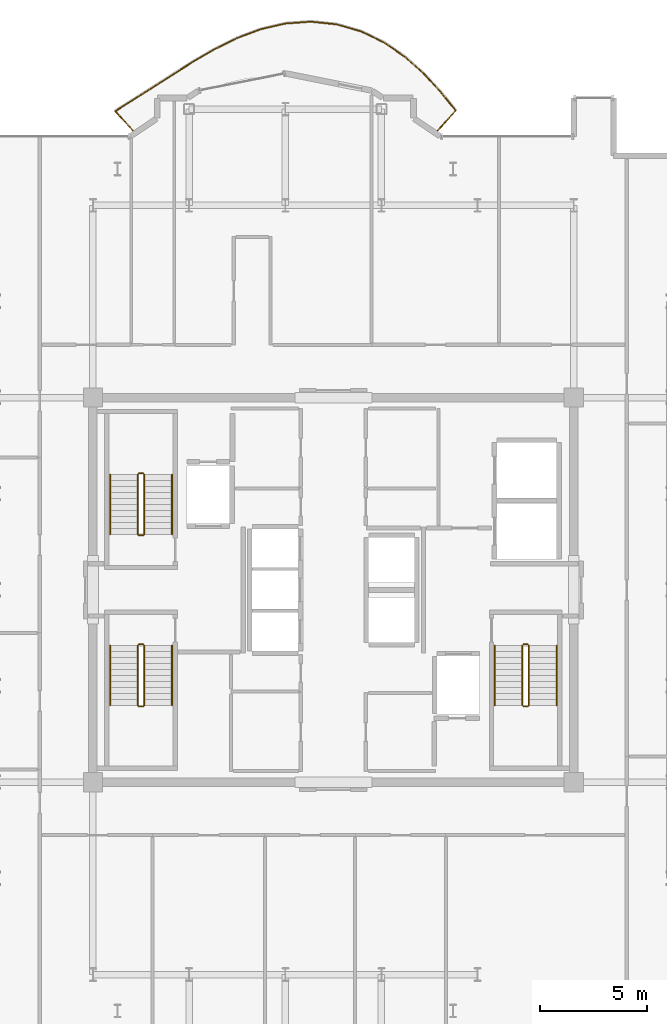
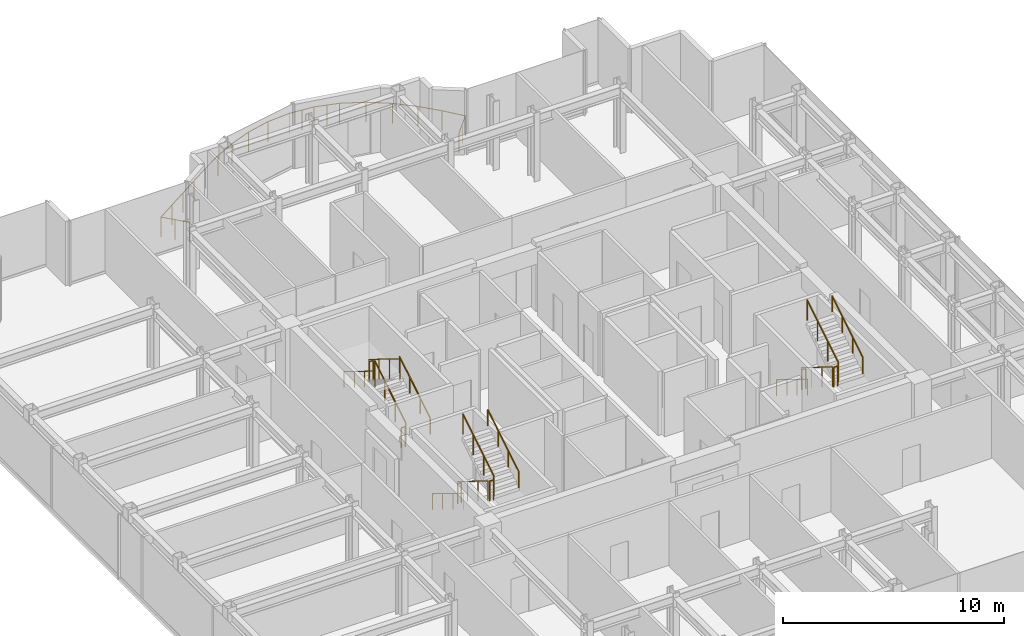
# One storey, part 18 of 18: 19 railings.
"""IFC4 building model written with IfcOpenShell, lengths in metres."""

from ifc_helpers import new_model, si_unit, direction, frame, origin, origin_2d, place, context, subcontext, project, spatial, circle, extrude, material, type_object, element, save


model = new_model("IFC4")

# Units and contexts
model_context = context("Model", 3, precision=1e-05, world=origin(), true_north=direction((0.0, 1.0)))
body_context = subcontext(model_context, "Body", "Model", "MODEL_VIEW")
ifc_project = project(units=[si_unit("LENGTHUNIT", "METRE"), si_unit("AREAUNIT", "SQUARE_METRE"), si_unit("VOLUMEUNIT", "CUBIC_METRE"), si_unit("PLANEANGLEUNIT", "RADIAN"), si_unit("MASSUNIT", "GRAM", prefix="KILO")], contexts=[model_context])

# Site, building, storey
site_placement = place(None, origin())
site = spatial("IfcSite", under=ifc_project, at=site_placement, CompositionType="ELEMENT")
building_placement = place(site_placement, origin())
building = spatial("IfcBuilding", under=site, at=building_placement, Name="Nefas-Gora Pilgrimage Tower", CompositionType="ELEMENT")
storey_placement = place(building_placement, frame((0.0, 0.0, 330.0)))
storey = spatial("IfcBuildingStorey", under=building, at=storey_placement, Name="L83", CompositionType="ELEMENT", Elevation=330.0)

# Railings
ifc_material_1 = material(Name="Laminated safety glass and stainless steel", Category="steel")
railing_type_1 = type_object("IfcRailingType", Name="RLG-BAL-1100", PredefinedType="BALUSTRADE", material=ifc_material_1)
railing_1_placement = place(storey_placement, frame((4.802490234375, 21.402587890625, 0.0)))
element("IfcRailing", 1, at=railing_1_placement, inside=storey, type_object=railing_type_1, Name="L83 Wave Balcony Balustrade N1", PredefinedType="BALUSTRADE", context=body_context, shape_type="SweptSolid", body=[
    extrude(circle(Radius=0.02392578125, at=origin_2d()), frame((0.0, 0.0, 1.09619140625), z_axis=(0.669217868333, 0.743066245165, 0.0), x_axis=(-0.743066245165, 0.669217868333, 0.0)), (0.0, 0.0, 1.0), 1.38525390625),
    extrude(circle(Radius=0.02392578125, at=origin_2d()), frame((0.927001953125, 1.029296875, 1.09619140625), z_axis=(-0.631629482569, 0.775270402343, 0.0), x_axis=(-0.775270402343, -0.631629482569, 0.0)), (0.0, 0.0, 1.0), 1.125244140625),
    extrude(circle(Radius=0.02392578125, at=origin_2d()), frame((0.21630859375, 1.901611328125, 1.09619140625), z_axis=(-0.677893838632, 0.735159808167, 0.0), x_axis=(-0.735159808167, -0.677893838632, 0.0)), (0.0, 0.0, 1.0), 1.1552734375),
    extrude(circle(Radius=0.02392578125, at=origin_2d()), frame((-0.56689453125, 2.7509765625, 1.09619140625), z_axis=(-0.744856770075, 0.667224394094, 0.0), x_axis=(-0.667224394094, -0.744856770075, 0.0)), (0.0, 0.0, 1.0), 1.17919921875),
    extrude(circle(Radius=0.02392578125, at=origin_2d()), frame((-1.4453125, 3.537841796875, 1.09619140625), z_axis=(-0.823486360046, 0.567336068673, 0.0), x_axis=(-0.567336068673, -0.823486360046, 0.0)), (0.0, 0.0, 1.0), 1.193359375),
    extrude(circle(Radius=0.02392578125, at=origin_2d()), frame((-2.427978515625, 4.21484375, 1.09619140625), z_axis=(-0.900372884274, 0.435119143757, 0.0), x_axis=(-0.435119143757, -0.900372884274, 0.0)), (0.0, 0.0, 1.0), 1.198974609375),
    extrude(circle(Radius=0.02392578125, at=origin_2d()), frame((-3.507568359375, 4.736572265625, 1.09619140625), z_axis=(-0.96128569357, 0.275553652377, 0.0), x_axis=(-0.275553652377, -0.96128569357, 0.0)), (0.0, 0.0, 1.0), 1.200439453125),
    extrude(circle(Radius=0.02392578125, at=origin_2d()), frame((-4.66162109375, 5.0673828125, 1.09619140625), z_axis=(-0.994878893823, 0.101074163988, 0.0), x_axis=(-0.101074163988, -0.994878893823, 0.0)), (0.0, 0.0, 1.0), 1.200439453125),
    extrude(circle(Radius=0.02392578125, at=origin_2d()), frame((-5.85595703125, 5.188720703125, 1.09619140625), z_axis=(-0.997416168119, -0.071840013741, 0.0), x_axis=(0.071840013741, -0.997416168119, 0.0)), (0.0, 0.0, 1.0), 1.19970703125),
    extrude(circle(Radius=0.02392578125, at=origin_2d()), frame((-7.052490234375, 5.1025390625, 1.09619140625), z_axis=(-0.973990202432, -0.226590126809, 0.0), x_axis=(0.226590126809, -0.973990202432, 0.0)), (0.0, 0.0, 1.0), 1.19482421875),
    extrude(circle(Radius=0.02392578125, at=origin_2d()), frame((-8.21630859375, 4.831787109375, 1.09619140625), z_axis=(-0.935793373768, -0.352548949243, 0.0), x_axis=(0.352548949243, -0.935793373768, 0.0)), (0.0, 0.0, 1.0), 1.18212890625),
    extrude(circle(Radius=0.02392578125, at=origin_2d()), frame((-9.322509765625, 4.4150390625, 1.09619140625), z_axis=(-0.895603061992, -0.444854083213, 0.0), x_axis=(0.444854083213, -0.895603061992, 0.0)), (0.0, 0.0, 1.0), 1.15966796875),
    extrude(circle(Radius=0.02392578125, at=origin_2d()), frame((-10.361083984375, 3.899169921875, 1.09619140625), z_axis=(-0.863943403334, -0.503588915522, 0.0), x_axis=(0.503588915522, -0.863943403334, 0.0)), (0.0, 0.0, 1.0), 1.130126953125),
    extrude(circle(Radius=0.02392578125, at=origin_2d()), frame((-11.33740234375, 3.330078125, 1.09619140625), z_axis=(-0.846310667587, -0.532689641282, 0.0), x_axis=(0.532689641282, -0.846310667587, 0.0)), (0.0, 0.0, 1.0), 1.099853515625),
    extrude(circle(Radius=0.02392578125, at=origin_2d()), frame((-12.268310546875, 2.744140625, 1.09619140625), z_axis=(-0.841971362418, -0.539522219067, 0.0), x_axis=(0.539522219067, -0.841971362418, 0.0)), (0.0, 0.0, 1.0), 1.079345703125),
    extrude(circle(Radius=0.02392578125, at=origin_2d()), frame((-13.177001953125, 2.161865234375, 1.09619140625), z_axis=(-0.844473528243, -0.535597292839, 0.0), x_axis=(0.535597292839, -0.844473528243, 0.0)), (0.0, 0.0, 1.0), 1.07568359375),
    extrude(circle(Radius=0.02392578125, at=origin_2d()), frame((-14.08544921875, 1.585693359375, 1.09619140625), z_axis=(-0.843707572313, -0.536803066704, 0.0), x_axis=(0.536803066704, -0.843707572313, 0.0)), (0.0, 0.0, 1.0), 1.090576171875),
    extrude(circle(Radius=0.02392578125, at=origin_2d()), frame((-15.005615234375, 1.000244140625, 1.09619140625), z_axis=(0.669135077133, -0.74314079995, 0.0), x_axis=(0.74314079995, 0.669135077133, 0.0)), (0.0, 0.0, 1.0), 1.345947265625),
    extrude(circle(Radius=0.02099609375, at=origin_2d()), origin(), (0.0, 0.0, 1.0), 1.072021484375),
    extrude(circle(Radius=0.02099609375, at=origin_2d()), frame((0.46337890625, 0.5146484375, 0.0)), (0.0, 0.0, 1.0), 1.072021484375),
    extrude(circle(Radius=0.02099609375, at=origin_2d()), frame((0.927001953125, 1.029296875, 0.0)), (0.0, 0.0, 1.0), 1.072021484375),
    extrude(circle(Radius=0.02099609375, at=origin_2d()), frame((0.21630859375, 1.901611328125, 0.0)), (0.0, 0.0, 1.0), 1.072021484375),
    extrude(circle(Radius=0.02099609375, at=origin_2d()), frame((-0.56689453125, 2.7509765625, 0.0)), (0.0, 0.0, 1.0), 1.072021484375),
    extrude(circle(Radius=0.02099609375, at=origin_2d()), frame((-1.4453125, 3.537841796875, 0.0)), (0.0, 0.0, 1.0), 1.072021484375),
    extrude(circle(Radius=0.02099609375, at=origin_2d()), frame((-2.427978515625, 4.21484375, 0.0)), (0.0, 0.0, 1.0), 1.072021484375),
    extrude(circle(Radius=0.02099609375, at=origin_2d()), frame((-3.507568359375, 4.736572265625, 0.0)), (0.0, 0.0, 1.0), 1.072021484375),
    extrude(circle(Radius=0.02099609375, at=origin_2d()), frame((-4.08447265625, 4.90185546875, 0.0)), (0.0, 0.0, 1.0), 1.072021484375),
    extrude(circle(Radius=0.02099609375, at=origin_2d()), frame((-4.66162109375, 5.0673828125, 0.0)), (0.0, 0.0, 1.0), 1.072021484375),
    extrude(circle(Radius=0.02099609375, at=origin_2d()), frame((-5.2587890625, 5.1279296875, 0.0)), (0.0, 0.0, 1.0), 1.072021484375),
    extrude(circle(Radius=0.02099609375, at=origin_2d()), frame((-5.85595703125, 5.188720703125, 0.0)), (0.0, 0.0, 1.0), 1.072021484375),
    extrude(circle(Radius=0.02099609375, at=origin_2d()), frame((-7.052490234375, 5.1025390625, 0.0)), (0.0, 0.0, 1.0), 1.072021484375),
    extrude(circle(Radius=0.02099609375, at=origin_2d()), frame((-8.21630859375, 4.831787109375, 0.0)), (0.0, 0.0, 1.0), 1.072021484375),
    extrude(circle(Radius=0.02099609375, at=origin_2d()), frame((-9.322509765625, 4.4150390625, 0.0)), (0.0, 0.0, 1.0), 1.072021484375),
    extrude(circle(Radius=0.02099609375, at=origin_2d()), frame((-10.361083984375, 3.899169921875, 0.0)), (0.0, 0.0, 1.0), 1.072021484375),
    extrude(circle(Radius=0.02099609375, at=origin_2d()), frame((-11.33740234375, 3.330078125, 0.0)), (0.0, 0.0, 1.0), 1.072021484375),
    extrude(circle(Radius=0.02099609375, at=origin_2d()), frame((-12.268310546875, 2.744140625, 0.0)), (0.0, 0.0, 1.0), 1.072021484375),
    extrude(circle(Radius=0.02099609375, at=origin_2d()), frame((-13.177001953125, 2.161865234375, 0.0)), (0.0, 0.0, 1.0), 1.072021484375),
    extrude(circle(Radius=0.02099609375, at=origin_2d()), frame((-14.08544921875, 1.585693359375, 0.0)), (0.0, 0.0, 1.0), 1.072021484375),
    extrude(circle(Radius=0.02099609375, at=origin_2d()), frame((-15.005615234375, 1.000244140625, 0.0)), (0.0, 0.0, 1.0), 1.072021484375),
    extrude(circle(Radius=0.02099609375, at=origin_2d()), frame((-14.55517578125, 0.5, 0.0)), (0.0, 0.0, 1.0), 1.072021484375),
    extrude(circle(Radius=0.02099609375, at=origin_2d()), frame((-14.10498046875, 0.0, 0.0)), (0.0, 0.0, 1.0), 1.072021484375),
])
ifc_material_2 = material(Name="Painted galvanised steel", Category="steel")
railing_type_2 = type_object("IfcRailingType", Name="RLG-STR-GUARD-1100", PredefinedType="GUARDRAIL", material=ifc_material_2)
railing_2_placement = place(storey_placement, frame((-8.85009765625, 2.60009765625, 0.172607421875)))
element("IfcRailing", 2, at=railing_2_placement, inside=storey, type_object=railing_type_2, Name="L83 ST-01 stair guard 1", PredefinedType="GUARDRAIL", context=body_context, shape_type="SweptSolid", body=[
    extrude(circle(Radius=0.02392578125, at=origin_2d()), frame((0.0, 0.0, 1.09619140625), z_axis=(0.0, 0.851069175582, 0.525053576669), x_axis=(-1.0, 0.0, 0.0)), (0.0, 0.0, 1.0), 3.289794921875),
    extrude(circle(Radius=0.02099609375, at=origin_2d()), origin(), (0.0, 0.0, 1.0), 1.072021484375),
    extrude(circle(Radius=0.02099609375, at=origin_2d()), frame((0.0, 0.933349609375, 0.57568359375)), (0.0, 0.0, 1.0), 1.072021484375),
    extrude(circle(Radius=0.02099609375, at=origin_2d()), frame((0.0, 1.866455078125, 1.151611328125)), (0.0, 0.0, 1.0), 1.072021484375),
    extrude(circle(Radius=0.02099609375, at=origin_2d()), frame((0.0, 2.7998046875, 1.727294921875)), (0.0, 0.0, 1.0), 1.072021484375),
])
railing_3_placement = place(storey_placement, frame((-8.89990234375, 5.449951171875, 1.89990234375)))
element("IfcRailing", 3, at=railing_3_placement, inside=storey, type_object=railing_type_2, Name="L83 ST-01 stair guard 2", PredefinedType="GUARDRAIL", context=body_context, shape_type="SweptSolid", body=[
    extrude(circle(Radius=0.02392578125, at=origin_2d()), frame((0.0, 0.0, 1.09619140625), z_axis=(-1.0, 0.0, 0.0), x_axis=(0.0, -1.0, 0.0)), (0.0, 0.0, 1.0), 0.2001953125),
    extrude(circle(Radius=0.02099609375, at=origin_2d()), origin(), (0.0, 0.0, 1.0), 1.072021484375),
    extrude(circle(Radius=0.02099609375, at=origin_2d()), frame((-0.2001953125, 0.0, 0.0)), (0.0, 0.0, 1.0), 1.072021484375),
])
railing_4_placement = place(storey_placement, frame((-9.14990234375, 5.39990234375, 2.07275390625)))
element("IfcRailing", 4, at=railing_4_placement, inside=storey, type_object=railing_type_2, Name="L83 ST-01 stair guard 3", PredefinedType="GUARDRAIL", context=body_context, shape_type="SweptSolid", body=[
    extrude(circle(Radius=0.02392578125, at=origin_2d()), frame((0.0, 0.0, 1.09619140625), z_axis=(0.0, -0.851069175582, 0.525053576669), x_axis=(1.0, 0.0, 0.0)), (0.0, 0.0, 1.0), 3.289794921875),
    extrude(circle(Radius=0.02099609375, at=origin_2d()), origin(), (0.0, 0.0, 1.0), 1.072021484375),
    extrude(circle(Radius=0.02099609375, at=origin_2d()), frame((0.0, -0.933349609375, 0.57568359375)), (0.0, 0.0, 1.0), 1.072021484375),
    extrude(circle(Radius=0.02099609375, at=origin_2d()), frame((0.0, -1.866455078125, 1.151611328125)), (0.0, 0.0, 1.0), 1.072021484375),
    extrude(circle(Radius=0.02099609375, at=origin_2d()), frame((0.0, -2.7998046875, 1.727294921875)), (0.0, 0.0, 1.0), 1.072021484375),
])
railing_5_placement = place(storey_placement, frame((-8.89990234375, 2.550048828125, 0.0)))
element("IfcRailing", 5, at=railing_5_placement, inside=storey, type_object=railing_type_2, Name="L83 ST-01 stair guard 4", PredefinedType="GUARDRAIL", context=body_context, shape_type="SweptSolid", body=[
    extrude(circle(Radius=0.02392578125, at=origin_2d()), frame((0.0, 0.0, 1.09619140625), z_axis=(-1.0, 0.0, 0.0), x_axis=(0.0, -1.0, 0.0)), (0.0, 0.0, 1.0), 0.2001953125),
    extrude(circle(Radius=0.02099609375, at=origin_2d()), origin(), (0.0, 0.0, 1.0), 1.072021484375),
    extrude(circle(Radius=0.02099609375, at=origin_2d()), frame((-0.2001953125, 0.0, 0.0)), (0.0, 0.0, 1.0), 1.072021484375),
])
railing_6_placement = place(storey_placement, frame((8.85009765625, -2.60009765625, 0.172607421875)))
element("IfcRailing", 6, at=railing_6_placement, inside=storey, type_object=railing_type_2, Name="L83 ST-02 stair guard 1", PredefinedType="GUARDRAIL", context=body_context, shape_type="SweptSolid", body=[
    extrude(circle(Radius=0.02392578125, at=origin_2d()), frame((0.0, 0.0, 1.09619140625), z_axis=(0.0, -0.851069175582, 0.525053576669), x_axis=(1.0, 0.0, 0.0)), (0.0, 0.0, 1.0), 3.289794921875),
    extrude(circle(Radius=0.02099609375, at=origin_2d()), origin(), (0.0, 0.0, 1.0), 1.072021484375),
    extrude(circle(Radius=0.02099609375, at=origin_2d()), frame((0.0, -0.933349609375, 0.57568359375)), (0.0, 0.0, 1.0), 1.072021484375),
    extrude(circle(Radius=0.02099609375, at=origin_2d()), frame((0.0, -1.866455078125, 1.151611328125)), (0.0, 0.0, 1.0), 1.072021484375),
    extrude(circle(Radius=0.02099609375, at=origin_2d()), frame((0.0, -2.7998046875, 1.727294921875)), (0.0, 0.0, 1.0), 1.072021484375),
])
railing_7_placement = place(storey_placement, frame((8.89990234375, -5.449951171875, 1.89990234375)))
element("IfcRailing", 7, at=railing_7_placement, inside=storey, type_object=railing_type_2, Name="L83 ST-02 stair guard 2", PredefinedType="GUARDRAIL", context=body_context, shape_type="SweptSolid", body=[
    extrude(circle(Radius=0.02392578125, at=origin_2d()), frame((0.0, 0.0, 1.09619140625), z_axis=(1.0, 0.0, 0.0), x_axis=(0.0, 1.0, 0.0)), (0.0, 0.0, 1.0), 0.2001953125),
    extrude(circle(Radius=0.02099609375, at=origin_2d()), origin(), (0.0, 0.0, 1.0), 1.072021484375),
    extrude(circle(Radius=0.02099609375, at=origin_2d()), frame((0.2001953125, 0.0, 0.0)), (0.0, 0.0, 1.0), 1.072021484375),
])
railing_8_placement = place(storey_placement, frame((9.14990234375, -5.39990234375, 2.07275390625)))
element("IfcRailing", 8, at=railing_8_placement, inside=storey, type_object=railing_type_2, Name="L83 ST-02 stair guard 3", PredefinedType="GUARDRAIL", context=body_context, shape_type="SweptSolid", body=[
    extrude(circle(Radius=0.02392578125, at=origin_2d()), frame((0.0, 0.0, 1.09619140625), z_axis=(0.0, 0.851069175582, 0.525053576669), x_axis=(-1.0, 0.0, 0.0)), (0.0, 0.0, 1.0), 3.289794921875),
    extrude(circle(Radius=0.02099609375, at=origin_2d()), origin(), (0.0, 0.0, 1.0), 1.072021484375),
    extrude(circle(Radius=0.02099609375, at=origin_2d()), frame((0.0, 0.933349609375, 0.57568359375)), (0.0, 0.0, 1.0), 1.072021484375),
    extrude(circle(Radius=0.02099609375, at=origin_2d()), frame((0.0, 1.866455078125, 1.151611328125)), (0.0, 0.0, 1.0), 1.072021484375),
    extrude(circle(Radius=0.02099609375, at=origin_2d()), frame((0.0, 2.7998046875, 1.727294921875)), (0.0, 0.0, 1.0), 1.072021484375),
])
railing_9_placement = place(storey_placement, frame((8.89990234375, -2.550048828125, 0.0)))
element("IfcRailing", 9, at=railing_9_placement, inside=storey, type_object=railing_type_2, Name="L83 ST-02 stair guard 4", PredefinedType="GUARDRAIL", context=body_context, shape_type="SweptSolid", body=[
    extrude(circle(Radius=0.02392578125, at=origin_2d()), frame((0.0, 0.0, 1.09619140625), z_axis=(1.0, 0.0, 0.0), x_axis=(0.0, 1.0, 0.0)), (0.0, 0.0, 1.0), 0.2001953125),
    extrude(circle(Radius=0.02099609375, at=origin_2d()), origin(), (0.0, 0.0, 1.0), 1.072021484375),
    extrude(circle(Radius=0.02099609375, at=origin_2d()), frame((0.2001953125, 0.0, 0.0)), (0.0, 0.0, 1.0), 1.072021484375),
])
railing_10_placement = place(storey_placement, frame((-9.14990234375, -2.60009765625, 0.172607421875)))
element("IfcRailing", 10, at=railing_10_placement, inside=storey, type_object=railing_type_2, Name="L83 ST-03 stair guard 1", PredefinedType="GUARDRAIL", context=body_context, shape_type="SweptSolid", body=[
    extrude(circle(Radius=0.02392578125, at=origin_2d()), frame((0.0, 0.0, 1.09619140625), z_axis=(0.0, -0.851069175582, 0.525053576669), x_axis=(1.0, 0.0, 0.0)), (0.0, 0.0, 1.0), 3.289794921875),
    extrude(circle(Radius=0.02099609375, at=origin_2d()), origin(), (0.0, 0.0, 1.0), 1.072021484375),
    extrude(circle(Radius=0.02099609375, at=origin_2d()), frame((0.0, -0.933349609375, 0.57568359375)), (0.0, 0.0, 1.0), 1.072021484375),
    extrude(circle(Radius=0.02099609375, at=origin_2d()), frame((0.0, -1.866455078125, 1.151611328125)), (0.0, 0.0, 1.0), 1.072021484375),
    extrude(circle(Radius=0.02099609375, at=origin_2d()), frame((0.0, -2.7998046875, 1.727294921875)), (0.0, 0.0, 1.0), 1.072021484375),
])
railing_11_placement = place(storey_placement, frame((-9.10009765625, -5.449951171875, 1.89990234375)))
element("IfcRailing", 11, at=railing_11_placement, inside=storey, type_object=railing_type_2, Name="L83 ST-03 stair guard 2", PredefinedType="GUARDRAIL", context=body_context, shape_type="SweptSolid", body=[
    extrude(circle(Radius=0.02392578125, at=origin_2d()), frame((0.0, 0.0, 1.09619140625), z_axis=(1.0, 0.0, 0.0), x_axis=(0.0, 1.0, 0.0)), (0.0, 0.0, 1.0), 0.2001953125),
    extrude(circle(Radius=0.02099609375, at=origin_2d()), origin(), (0.0, 0.0, 1.0), 1.072021484375),
    extrude(circle(Radius=0.02099609375, at=origin_2d()), frame((0.2001953125, 0.0, 0.0)), (0.0, 0.0, 1.0), 1.072021484375),
])
railing_12_placement = place(storey_placement, frame((-8.85009765625, -5.39990234375, 2.07275390625)))
element("IfcRailing", 12, at=railing_12_placement, inside=storey, type_object=railing_type_2, Name="L83 ST-03 stair guard 3", PredefinedType="GUARDRAIL", context=body_context, shape_type="SweptSolid", body=[
    extrude(circle(Radius=0.02392578125, at=origin_2d()), frame((0.0, 0.0, 1.09619140625), z_axis=(0.0, 0.851069175582, 0.525053576669), x_axis=(-1.0, 0.0, 0.0)), (0.0, 0.0, 1.0), 3.289794921875),
    extrude(circle(Radius=0.02099609375, at=origin_2d()), origin(), (0.0, 0.0, 1.0), 1.072021484375),
    extrude(circle(Radius=0.02099609375, at=origin_2d()), frame((0.0, 0.933349609375, 0.57568359375)), (0.0, 0.0, 1.0), 1.072021484375),
    extrude(circle(Radius=0.02099609375, at=origin_2d()), frame((0.0, 1.866455078125, 1.151611328125)), (0.0, 0.0, 1.0), 1.072021484375),
    extrude(circle(Radius=0.02099609375, at=origin_2d()), frame((0.0, 2.7998046875, 1.727294921875)), (0.0, 0.0, 1.0), 1.072021484375),
])
railing_13_placement = place(storey_placement, frame((-9.10009765625, -2.550048828125, 0.0)))
element("IfcRailing", 13, at=railing_13_placement, inside=storey, type_object=railing_type_2, Name="L83 ST-03 stair guard 4", PredefinedType="GUARDRAIL", context=body_context, shape_type="SweptSolid", body=[
    extrude(circle(Radius=0.02392578125, at=origin_2d()), frame((0.0, 0.0, 1.09619140625), z_axis=(1.0, 0.0, 0.0), x_axis=(0.0, 1.0, 0.0)), (0.0, 0.0, 1.0), 0.2001953125),
    extrude(circle(Radius=0.02099609375, at=origin_2d()), origin(), (0.0, 0.0, 1.0), 1.072021484375),
    extrude(circle(Radius=0.02099609375, at=origin_2d()), frame((0.2001953125, 0.0, 0.0)), (0.0, 0.0, 1.0), 1.072021484375),
])
ifc_material_3 = material(Name="Brushed stainless steel", Category="steel")
railing_type_3 = type_object("IfcRailingType", Name="RLG-STR-HAND-900", PredefinedType="HANDRAIL", material=ifc_material_3)
railing_14_placement = place(storey_placement, frame((-7.550048828125, 2.60009765625, 0.172607421875)))
element("IfcRailing", 14, at=railing_14_placement, inside=storey, type_object=railing_type_3, Name="L83 ST-01 stair handrail 1", PredefinedType="HANDRAIL", context=body_context, shape_type="SweptSolid", body=[
    extrude(circle(Radius=0.02392578125, at=origin_2d()), frame((0.0, 0.0, 0.8759765625), z_axis=(0.0, 0.851069175582, 0.525053576669), x_axis=(-1.0, 0.0, 0.0)), (0.0, 0.0, 1.0), 3.289794921875),
    extrude(circle(Radius=0.02099609375, at=origin_2d()), origin(), (0.0, 0.0, 1.0), 0.851806640625),
    extrude(circle(Radius=0.02099609375, at=origin_2d()), frame((0.0, 0.933349609375, 0.57568359375)), (0.0, 0.0, 1.0), 0.851806640625),
    extrude(circle(Radius=0.02099609375, at=origin_2d()), frame((0.0, 1.866455078125, 1.151611328125)), (0.0, 0.0, 1.0), 0.851806640625),
    extrude(circle(Radius=0.02099609375, at=origin_2d()), frame((0.0, 2.7998046875, 1.727294921875)), (0.0, 0.0, 1.0), 0.851806640625),
])
for number, where, name in (
    (15, (-10.449951171875, 5.39990234375, 2.07275390625), "L83 ST-01 stair handrail 2"),
    (16, (7.550048828125, -2.60009765625, 0.172607421875), "L83 ST-02 stair handrail 1"),
):
    element("IfcRailing", number, at=place(storey_placement, frame(where)), inside=storey, type_object=railing_type_3, Name=name, PredefinedType="HANDRAIL", context=body_context, shape_type="SweptSolid", body=[
        extrude(circle(Radius=0.02392578125, at=origin_2d()), frame((0.0, 0.0, 0.8759765625), z_axis=(0.0, -0.851069175582, 0.525053576669), x_axis=(1.0, 0.0, 0.0)), (0.0, 0.0, 1.0), 3.289794921875),
        extrude(circle(Radius=0.02099609375, at=origin_2d()), origin(), (0.0, 0.0, 1.0), 0.851806640625),
        extrude(circle(Radius=0.02099609375, at=origin_2d()), frame((0.0, -0.933349609375, 0.57568359375)), (0.0, 0.0, 1.0), 0.851806640625),
        extrude(circle(Radius=0.02099609375, at=origin_2d()), frame((0.0, -1.866455078125, 1.151611328125)), (0.0, 0.0, 1.0), 0.851806640625),
        extrude(circle(Radius=0.02099609375, at=origin_2d()), frame((0.0, -2.7998046875, 1.727294921875)), (0.0, 0.0, 1.0), 0.851806640625),
    ])
railing_15_placement = place(storey_placement, frame((10.449951171875, -5.39990234375, 2.07275390625)))
element("IfcRailing", 17, at=railing_15_placement, inside=storey, type_object=railing_type_3, Name="L83 ST-02 stair handrail 2", PredefinedType="HANDRAIL", context=body_context, shape_type="SweptSolid", body=[
    extrude(circle(Radius=0.02392578125, at=origin_2d()), frame((0.0, 0.0, 0.8759765625), z_axis=(0.0, 0.851069175582, 0.525053576669), x_axis=(-1.0, 0.0, 0.0)), (0.0, 0.0, 1.0), 3.289794921875),
    extrude(circle(Radius=0.02099609375, at=origin_2d()), origin(), (0.0, 0.0, 1.0), 0.851806640625),
    extrude(circle(Radius=0.02099609375, at=origin_2d()), frame((0.0, 0.933349609375, 0.57568359375)), (0.0, 0.0, 1.0), 0.851806640625),
    extrude(circle(Radius=0.02099609375, at=origin_2d()), frame((0.0, 1.866455078125, 1.151611328125)), (0.0, 0.0, 1.0), 0.851806640625),
    extrude(circle(Radius=0.02099609375, at=origin_2d()), frame((0.0, 2.7998046875, 1.727294921875)), (0.0, 0.0, 1.0), 0.851806640625),
])
railing_16_placement = place(storey_placement, frame((-10.449951171875, -2.60009765625, 0.172607421875)))
element("IfcRailing", 18, at=railing_16_placement, inside=storey, type_object=railing_type_3, Name="L83 ST-03 stair handrail 1", PredefinedType="HANDRAIL", context=body_context, shape_type="SweptSolid", body=[
    extrude(circle(Radius=0.02392578125, at=origin_2d()), frame((0.0, 0.0, 0.8759765625), z_axis=(0.0, -0.851069175582, 0.525053576669), x_axis=(1.0, 0.0, 0.0)), (0.0, 0.0, 1.0), 3.289794921875),
    extrude(circle(Radius=0.02099609375, at=origin_2d()), origin(), (0.0, 0.0, 1.0), 0.851806640625),
    extrude(circle(Radius=0.02099609375, at=origin_2d()), frame((0.0, -0.933349609375, 0.57568359375)), (0.0, 0.0, 1.0), 0.851806640625),
    extrude(circle(Radius=0.02099609375, at=origin_2d()), frame((0.0, -1.866455078125, 1.151611328125)), (0.0, 0.0, 1.0), 0.851806640625),
    extrude(circle(Radius=0.02099609375, at=origin_2d()), frame((0.0, -2.7998046875, 1.727294921875)), (0.0, 0.0, 1.0), 0.851806640625),
])
railing_17_placement = place(storey_placement, frame((-7.550048828125, -5.39990234375, 2.07275390625)))
element("IfcRailing", 19, at=railing_17_placement, inside=storey, type_object=railing_type_3, Name="L83 ST-03 stair handrail 2", PredefinedType="HANDRAIL", context=body_context, shape_type="SweptSolid", body=[
    extrude(circle(Radius=0.02392578125, at=origin_2d()), frame((0.0, 0.0, 0.8759765625), z_axis=(0.0, 0.851069175582, 0.525053576669), x_axis=(-1.0, 0.0, 0.0)), (0.0, 0.0, 1.0), 3.289794921875),
    extrude(circle(Radius=0.02099609375, at=origin_2d()), origin(), (0.0, 0.0, 1.0), 0.851806640625),
    extrude(circle(Radius=0.02099609375, at=origin_2d()), frame((0.0, 0.933349609375, 0.57568359375)), (0.0, 0.0, 1.0), 0.851806640625),
    extrude(circle(Radius=0.02099609375, at=origin_2d()), frame((0.0, 1.866455078125, 1.151611328125)), (0.0, 0.0, 1.0), 0.851806640625),
    extrude(circle(Radius=0.02099609375, at=origin_2d()), frame((0.0, 2.7998046875, 1.727294921875)), (0.0, 0.0, 1.0), 0.851806640625),
])

save(model, "model.ifc")
